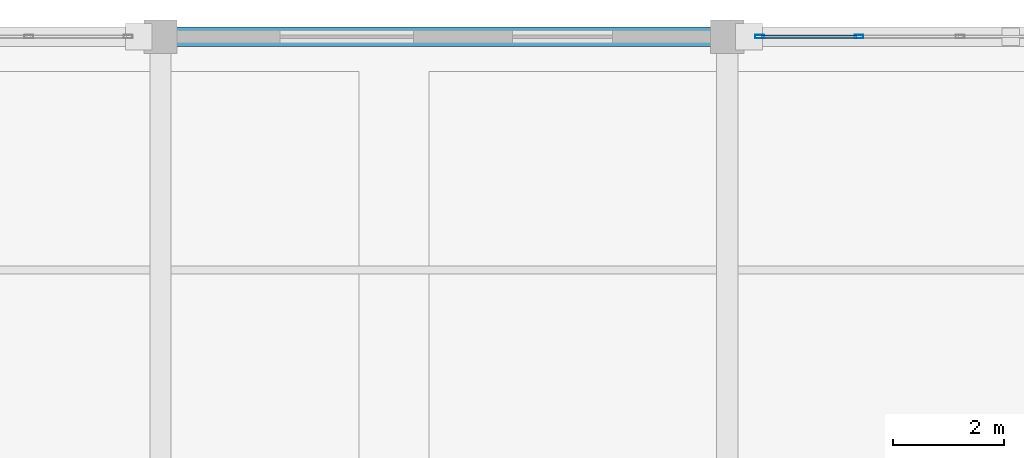
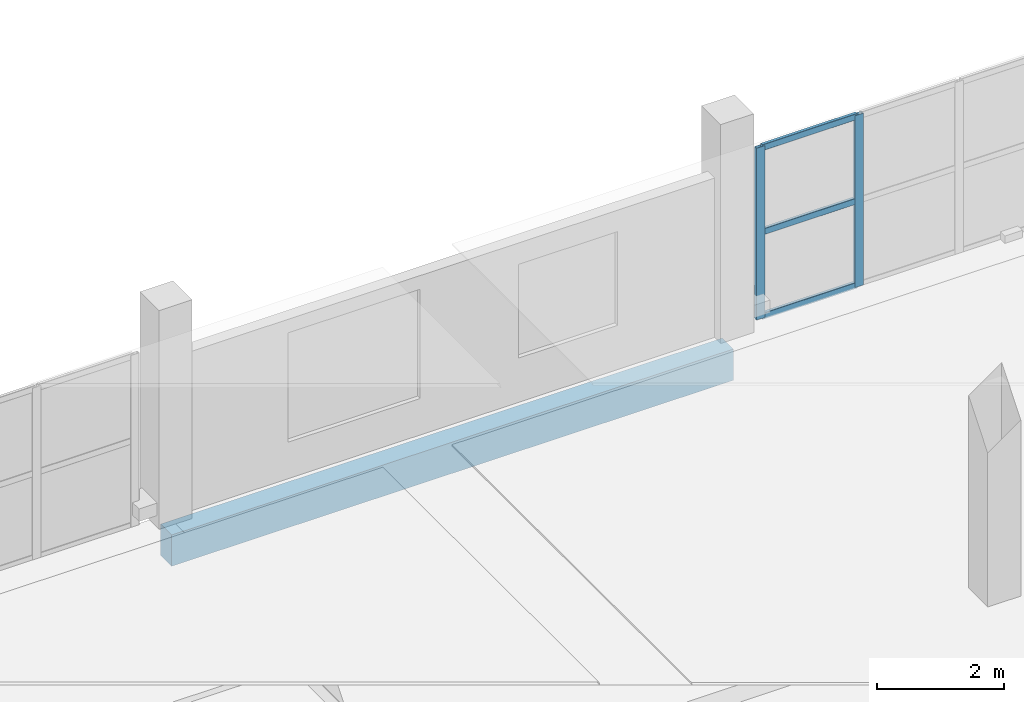
# One storey, part 14 of 24: 5 members, 1 beam, 1 element without a shape of its own.
"""IFC4 building model written with IfcOpenShell, lengths in metres."""

from ifc_helpers import new_model, si_unit, direction, frame, origin, origin_2d, place, context, subcontext, project, spatial, rectangle, hollow_rectangle, extrude, material, material_profile, profile_set, type_object, element, aggregate, save


model = new_model("IFC4")

# Units and contexts
model_context = context("Model", 3, precision=1e-05, world=origin(), true_north=direction((0.0, 1.0)))
body_context = subcontext(model_context, "Body", "Model", "MODEL_VIEW")
ifc_project = project(units=[si_unit("LENGTHUNIT", "METRE"), si_unit("AREAUNIT", "SQUARE_METRE"), si_unit("VOLUMEUNIT", "CUBIC_METRE"), si_unit("PLANEANGLEUNIT", "RADIAN"), si_unit("MASSUNIT", "GRAM", prefix="KILO")], contexts=[model_context])

# Site, building, storey
site_placement = place(None, origin())
site = spatial("IfcSite", under=ifc_project, at=site_placement, CompositionType="ELEMENT")
building_placement = place(site_placement, origin())
building = spatial("IfcBuilding", under=site, at=building_placement, Name="Brelvane Convention Centre", CompositionType="ELEMENT")
storey_placement = place(building_placement, frame((0.0, 0.0, 19.199951171875)))
storey = spatial("IfcBuildingStorey", under=building, at=storey_placement, Name="L04", CompositionType="ELEMENT", Elevation=19.199951171875)

# Curtain wall, members
ifc_material_1 = material(Name="Anodised Aluminium Alloy 6063-T6", Category="aluminium")
curtain_wall_type = type_object("IfcCurtainWallType", Name="Curtain Wall CW-BOUL", PredefinedType="USERDEFINED", material=ifc_material_1)
curtain_wall_placement = place(storey_placement, origin())
curtain_wall = element("IfcCurtainWall", 1, at=curtain_wall_placement, inside=storey, type_object=curtain_wall_type, Name="Curtain Wall CW-BOUL L04-V4N-06", ObjectType="UNITISED", PredefinedType="USERDEFINED")
ifc_material_2 = material(Name="Anodised Aluminium Alloy 6063-T6", Category="aluminium")
ifc_material_profile_1 = material_profile(ifc_material_2, hollow_rectangle(XDim=0.06494140625, YDim=0.159912109375, WallThickness=0.00390625, InnerFilletRadius=0.00390625, OuterFilletRadius=0.008056640625, at=origin_2d()), Name="ALU-M 160x65x4.0")
ifc_profile_set_1 = profile_set([ifc_material_profile_1], Name="Anodised Aluminium Alloy 6063-T6")
member_type_1 = type_object("IfcMemberType", Name="Curtain Mullion CW-M3", PredefinedType="MULLION", material=ifc_profile_set_1)
member_1_placement = place(storey_placement, frame((51.58251953125, 144.0, 0.0), z_axis=(0.0, 0.0, 1.0), x_axis=(0.0, 1.0, 0.0)))
member_1 = element("IfcMember", 2, at=member_1_placement, type_object=member_type_1, Name="CW-BOUL mullion 1", PredefinedType="MULLION", context=body_context, shape_type="SweptSolid", body=[
    extrude(hollow_rectangle(XDim=0.06494140625, YDim=0.159912109375, WallThickness=0.00390625, InnerFilletRadius=0.00390625, OuterFilletRadius=0.008056640625, at=origin_2d()), origin(), (0.0, 0.0, 1.0), 3.300048828125),
])
member_2_placement = place(storey_placement, frame((53.3701171875, 144.0, 0.0), z_axis=(0.0, 0.0, 1.0), x_axis=(0.0, 1.0, 0.0)))
member_2 = element("IfcMember", 3, at=member_2_placement, type_object=member_type_1, Name="CW-BOUL mullion 2", PredefinedType="MULLION", context=body_context, shape_type="SweptSolid", body=[
    extrude(hollow_rectangle(XDim=0.06494140625, YDim=0.159912109375, WallThickness=0.00390625, InnerFilletRadius=0.00390625, OuterFilletRadius=0.008056640625, at=origin_2d()), origin(), (0.0, 0.0, 1.0), 3.300048828125),
])
ifc_material_3 = material(Name="Anodised Aluminium Alloy 6063-T6", Category="aluminium")
ifc_material_profile_2 = material_profile(ifc_material_3, hollow_rectangle(XDim=0.06005859375, YDim=0.1201171875, WallThickness=0.00390625, InnerFilletRadius=0.00390625, OuterFilletRadius=0.008056640625, at=origin_2d()), Name="ALU-T 120x60x4.0")
ifc_profile_set_2 = profile_set([ifc_material_profile_2], Name="Anodised Aluminium Alloy 6063-T6")
member_type_2 = type_object("IfcMemberType", Name="Curtain Transom CW-T3", PredefinedType="USERDEFINED", material=ifc_profile_set_2)
member_3_placement = place(storey_placement, frame((51.614990234375, 144.0, 0.030029296875), z_axis=(1.0, 0.0, 0.0), x_axis=(0.0, 1.0, 0.0)))
member_3 = element("IfcMember", 4, at=member_3_placement, type_object=member_type_2, Name="CW-BOUL transom 1.1", ObjectType="TRANSOM", PredefinedType="USERDEFINED", context=body_context, shape_type="SweptSolid", body=[
    extrude(hollow_rectangle(XDim=0.06005859375, YDim=0.1201171875, WallThickness=0.00390625, InnerFilletRadius=0.00390625, OuterFilletRadius=0.008056640625, at=origin_2d()), origin(), (0.0, 0.0, 1.0), 1.722412109375),
])
member_4_placement = place(storey_placement, frame((51.614990234375, 144.0, 1.650146484375), z_axis=(1.0, 0.0, 0.0), x_axis=(0.0, 1.0, 0.0)))
member_4 = element("IfcMember", 5, at=member_4_placement, type_object=member_type_2, Name="CW-BOUL transom 1.2", ObjectType="TRANSOM", PredefinedType="USERDEFINED", context=body_context, shape_type="SweptSolid", body=[
    extrude(hollow_rectangle(XDim=0.06005859375, YDim=0.1201171875, WallThickness=0.00390625, InnerFilletRadius=0.00390625, OuterFilletRadius=0.008056640625, at=origin_2d()), origin(), (0.0, 0.0, 1.0), 1.722412109375),
])
member_5_placement = place(storey_placement, frame((51.614990234375, 144.0, 3.27001953125), z_axis=(1.0, 0.0, 0.0), x_axis=(0.0, 1.0, 0.0)))
member_5 = element("IfcMember", 6, at=member_5_placement, type_object=member_type_2, Name="CW-BOUL transom 1.3", ObjectType="TRANSOM", PredefinedType="USERDEFINED", context=body_context, shape_type="SweptSolid", body=[
    extrude(hollow_rectangle(XDim=0.06005859375, YDim=0.1201171875, WallThickness=0.00390625, InnerFilletRadius=0.00390625, OuterFilletRadius=0.008056640625, at=origin_2d()), origin(), (0.0, 0.0, 1.0), 1.722412109375),
])
aggregate(curtain_wall, [member_1, member_2, member_3, member_4, member_5])

# Beam
ifc_material_4 = material(Name="Concrete M40", Category="concrete")
ifc_material_profile_3 = material_profile(ifc_material_4, rectangle(XDim=0.35009765625, YDim=0.60009765625, at=origin_2d()), Name="RC 350x600")
ifc_profile_set_3 = profile_set([ifc_material_profile_3], Name="Concrete M40")
beam_type = type_object("IfcBeamType", Name="RC Spandrel SP-RC2 (RC 350x600)", PredefinedType="SPANDREL", material=ifc_profile_set_3)
beam_placement = place(storey_placement, frame((40.800048828125, 144.0, -0.58984375), z_axis=(1.0, 0.0, 0.0), x_axis=(0.0, 1.0, 0.0)))
element("IfcBeam", 7, at=beam_placement, inside=storey, type_object=beam_type, Name="L04 Beam 5-6/Q", PredefinedType="SPANDREL", context=body_context, shape_type="SweptSolid", body=[
    extrude(rectangle(XDim=0.35009765625, YDim=0.60009765625, at=origin_2d()), origin(), (0.0, 0.0, 1.0), 10.199951171875),
])

save(model, "model.ifc")
